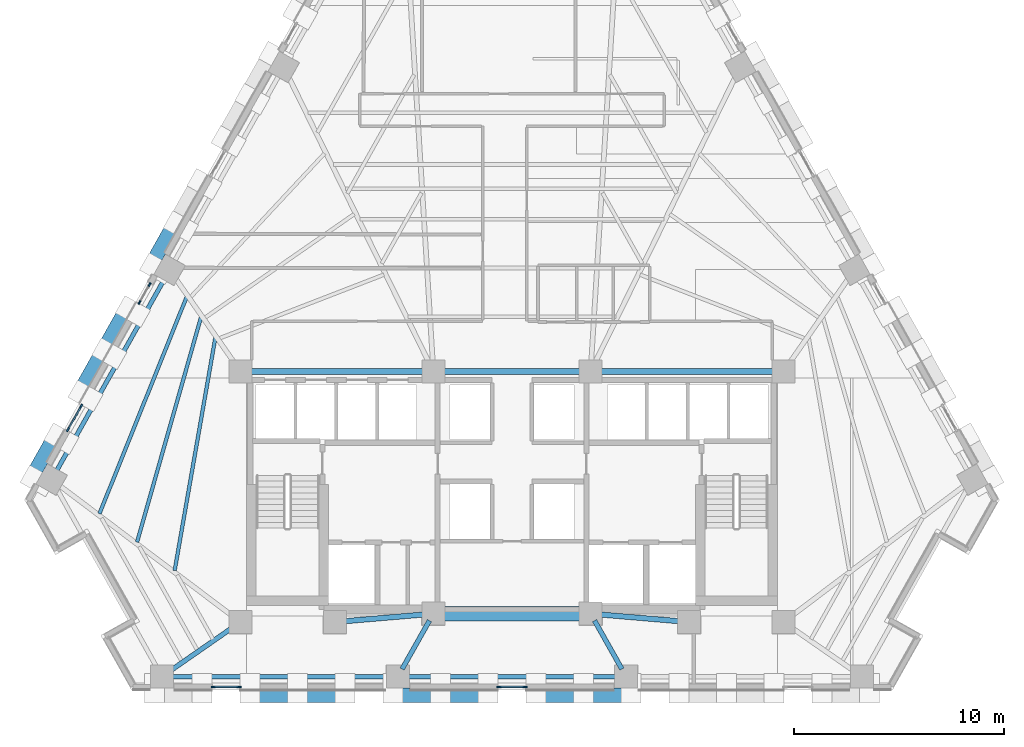
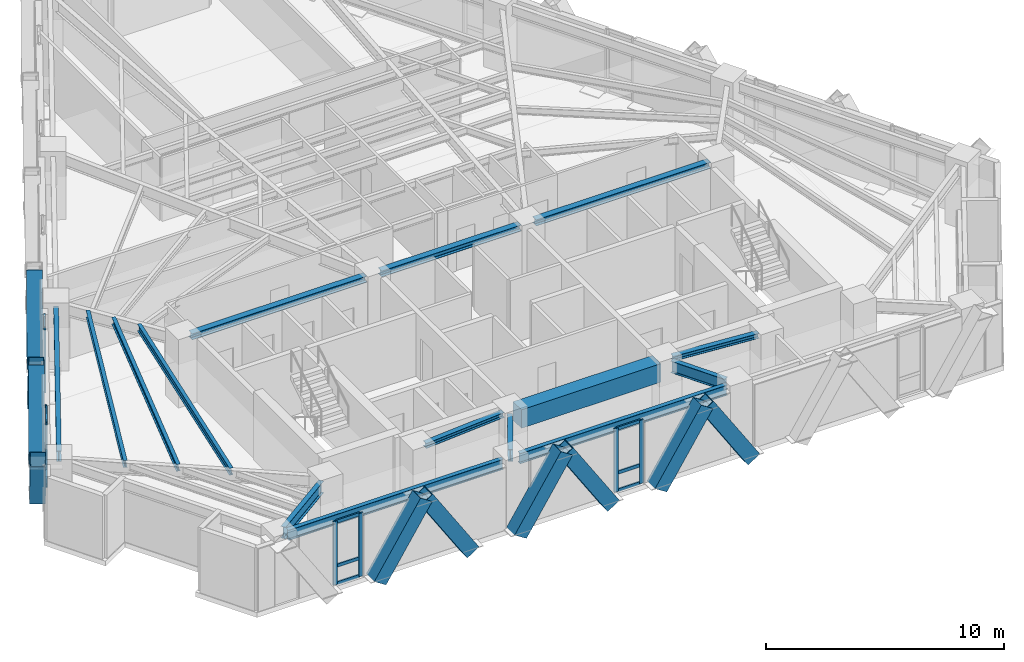
# One storey, part 2 of 13: 27 members, 15 beams, 4 elements without a shape of their own.
"""IFC4 building model written with IfcOpenShell, lengths in metres."""

from ifc_helpers import new_model, si_unit, direction, frame, origin, origin_2d, place, context, subcontext, project, spatial, rectangle, hollow_rectangle, i_section, extrude, material, material_profile, profile_set, type_object, element, aggregate, save


model = new_model("IFC4")

# Units and contexts
model_context = context("Model", 3, precision=1e-05, world=origin(), true_north=direction((0.0, 1.0)))
body_context = subcontext(model_context, "Body", "Model", "MODEL_VIEW")
ifc_project = project(units=[si_unit("LENGTHUNIT", "METRE"), si_unit("AREAUNIT", "SQUARE_METRE"), si_unit("VOLUMEUNIT", "CUBIC_METRE"), si_unit("PLANEANGLEUNIT", "RADIAN"), si_unit("MASSUNIT", "GRAM", prefix="KILO")], contexts=[model_context])

# Site, building, storey
site_placement = place(None, origin())
site = spatial("IfcSite", under=ifc_project, at=site_placement, CompositionType="ELEMENT")
building_placement = place(site_placement, origin())
building = spatial("IfcBuilding", under=site, at=building_placement, Name="Quenlor Broadcast Tower", CompositionType="ELEMENT")
storey_placement = place(building_placement, frame((0.0, 0.0, 83.60009765625)))
storey = spatial("IfcBuildingStorey", under=building, at=storey_placement, Name="L22", CompositionType="ELEMENT", Elevation=83.60009765625)

# Curtain wall, members
ifc_material_1 = material(Name="Architectural Terracotta and Low-E Glazing", Category="masonry")
curtain_wall_type = type_object("IfcCurtainWallType", Name="Unitised Terracotta Curtain Wall System Z2", PredefinedType="NOTDEFINED", material=ifc_material_1)
curtain_wall_1_placement = place(storey_placement, origin())
curtain_wall_1 = element("IfcCurtainWall", 1, at=curtain_wall_1_placement, inside=storey, type_object=curtain_wall_type, Name="L22 Curtain Wall CW2 (L22-SC-G1)", PredefinedType="NOTDEFINED")
ifc_material_2 = material(Name="Aluminium 6063-T6", Category="aluminium")
ifc_material_profile_1 = material_profile(ifc_material_2, rectangle(XDim=0.074951171875, YDim=0.199951171875, at=origin_2d()))
ifc_profile_set_1 = profile_set([ifc_material_profile_1], Name="Aluminium 6063-T6 MULL75x200")
member_type_1 = type_object("IfcMemberType", Name="CW2 Aluminium Mullion MULL_CW2", PredefinedType="MULLION", material=ifc_profile_set_1)
member_1_placement = place(storey_placement, frame((-13.01611328125, -19.840087890625, 0.0), z_axis=(0.0, 0.0, 1.0), x_axis=(0.0, -1.0, 0.0)))
member_1 = element("IfcMember", 2, at=member_1_placement, type_object=member_type_1, Name="CW2 mullion 1", PredefinedType="MULLION", context=body_context, shape_type="SweptSolid", body=[
    extrude(rectangle(XDim=0.074951171875, YDim=0.199951171875, at=origin_2d()), origin(), (0.0, 0.0, 1.0), 3.25),
])
member_2_placement = place(storey_placement, frame((-14.254150390625, -19.840087890625, 0.0), z_axis=(0.0, 0.0, 1.0), x_axis=(0.0, -1.0, 0.0)))
member_2 = element("IfcMember", 3, at=member_2_placement, type_object=member_type_1, Name="CW2 mullion 2", PredefinedType="MULLION", context=body_context, shape_type="SweptSolid", body=[
    extrude(rectangle(XDim=0.074951171875, YDim=0.199951171875, at=origin_2d()), origin(), (0.0, 0.0, 1.0), 3.25),
])

curtain_wall_2_placement = place(storey_placement, origin())
curtain_wall_2 = element("IfcCurtainWall", 4, at=curtain_wall_2_placement, inside=storey, type_object=curtain_wall_type, Name="L22 Curtain Wall CW2 (L22-S-G1)", PredefinedType="NOTDEFINED")
member_3_placement = place(storey_placement, frame((0.618896484375, -19.840087890625, 0.0), z_axis=(0.0, 0.0, 1.0), x_axis=(0.0, -1.0, 0.0)))
member_3 = element("IfcMember", 5, at=member_3_placement, type_object=member_type_1, Name="CW2 mullion 1", PredefinedType="MULLION", context=body_context, shape_type="SweptSolid", body=[
    extrude(rectangle(XDim=0.074951171875, YDim=0.199951171875, at=origin_2d()), origin(), (0.0, 0.0, 1.0), 3.25),
])
member_4_placement = place(storey_placement, frame((-0.618896484375, -19.840087890625, 0.0), z_axis=(0.0, 0.0, 1.0), x_axis=(0.0, -1.0, 0.0)))
member_4 = element("IfcMember", 6, at=member_4_placement, type_object=member_type_1, Name="CW2 mullion 2", PredefinedType="MULLION", context=body_context, shape_type="SweptSolid", body=[
    extrude(rectangle(XDim=0.074951171875, YDim=0.199951171875, at=origin_2d()), origin(), (0.0, 0.0, 1.0), 3.25),
])

curtain_wall_3_placement = place(storey_placement, origin())
curtain_wall_3 = element("IfcCurtainWall", 7, at=curtain_wall_3_placement, inside=storey, type_object=curtain_wall_type, Name="L22 Curtain Wall CW2 (L22-NWA-G1)", PredefinedType="NOTDEFINED")
member_5_placement = place(storey_placement, frame((-21.177734375, -7.57568359375, 0.0), z_axis=(0.0, 0.0, 1.0), x_axis=(-0.871565749621, 0.490278639232, 0.0)))
member_5 = element("IfcMember", 8, at=member_5_placement, type_object=member_type_1, Name="CW2 mullion 1", PredefinedType="MULLION", context=body_context, shape_type="SweptSolid", body=[
    extrude(rectangle(XDim=0.074951171875, YDim=0.199951171875, at=origin_2d()), origin(), (0.0, 0.0, 1.0), 3.25),
])
member_6_placement = place(storey_placement, frame((-20.545654296875, -6.451904296875, 0.0), z_axis=(0.0, 0.0, 1.0), x_axis=(-0.871565749621, 0.490278639232, 0.0)))
member_6 = element("IfcMember", 9, at=member_6_placement, type_object=member_type_1, Name="CW2 mullion 2", PredefinedType="MULLION", context=body_context, shape_type="SweptSolid", body=[
    extrude(rectangle(XDim=0.074951171875, YDim=0.199951171875, at=origin_2d()), origin(), (0.0, 0.0, 1.0), 3.25),
])

curtain_wall_4_placement = place(storey_placement, origin())
curtain_wall_4 = element("IfcCurtainWall", 10, at=curtain_wall_4_placement, inside=storey, type_object=curtain_wall_type, Name="L22 Curtain Wall CW2 (L22-NWA-G2)", PredefinedType="NOTDEFINED")
member_7_placement = place(storey_placement, frame((-17.7646484375, -1.508056640625, 0.0), z_axis=(0.0, 0.0, 1.0), x_axis=(-0.871580587336, 0.490252261371, 0.0)))
member_7 = element("IfcMember", 11, at=member_7_placement, type_object=member_type_1, Name="CW2 mullion 1", PredefinedType="MULLION", context=body_context, shape_type="SweptSolid", body=[
    extrude(rectangle(XDim=0.074951171875, YDim=0.199951171875, at=origin_2d()), origin(), (0.0, 0.0, 1.0), 3.25),
])
member_8_placement = place(storey_placement, frame((-17.282958984375, -0.651611328125, 0.0), z_axis=(0.0, 0.0, 1.0), x_axis=(-0.871580587336, 0.490252261371, 0.0)))
member_8 = element("IfcMember", 12, at=member_8_placement, type_object=member_type_1, Name="CW2 mullion 2", PredefinedType="MULLION", context=body_context, shape_type="SweptSolid", body=[
    extrude(rectangle(XDim=0.074951171875, YDim=0.199951171875, at=origin_2d()), origin(), (0.0, 0.0, 1.0), 3.25),
])
aggregate(curtain_wall_4, [member_7, member_8])

# Member
ifc_material_3 = material(Name="Aluminium 6063-T6", Category="aluminium")
ifc_material_profile_2 = material_profile(ifc_material_3, rectangle(XDim=0.074951171875, YDim=0.1650390625, at=origin_2d()))
ifc_profile_set_2 = profile_set([ifc_material_profile_2], Name="Aluminium 6063-T6 TRAN75x165")
member_type_2 = type_object("IfcMemberType", Name="CW2 Aluminium Transom TRAN_CW2", PredefinedType="USERDEFINED", material=ifc_profile_set_2)
member_9_placement = place(storey_placement, frame((-13.0537109375, -19.840087890625, 0.037353515625), z_axis=(-1.0, 0.0, 0.0), x_axis=(0.0, -1.0, 0.0)))
member_9 = element("IfcMember", 13, at=member_9_placement, type_object=member_type_2, Name="CW2 transom 1.1", ObjectType="TRANSOM", PredefinedType="USERDEFINED", context=body_context, shape_type="SweptSolid", body=[
    extrude(rectangle(XDim=0.074951171875, YDim=0.1650390625, at=origin_2d()), origin(), (0.0, 0.0, 1.0), 1.1630859375),
])

member_10_placement = place(storey_placement, frame((-13.0537109375, -19.840087890625, 0.949951171875), z_axis=(-1.0, 0.0, 0.0), x_axis=(0.0, -1.0, 0.0)))
member_10 = element("IfcMember", 14, at=member_10_placement, type_object=member_type_2, Name="CW2 transom 1.2", ObjectType="TRANSOM", PredefinedType="USERDEFINED", context=body_context, shape_type="SweptSolid", body=[
    extrude(rectangle(XDim=0.074951171875, YDim=0.1650390625, at=origin_2d()), origin(), (0.0, 0.0, 1.0), 1.1630859375),
])

member_11_placement = place(storey_placement, frame((-13.0537109375, -19.840087890625, 3.21240234375), z_axis=(-1.0, 0.0, 0.0), x_axis=(0.0, -1.0, 0.0)))
member_11 = element("IfcMember", 15, at=member_11_placement, type_object=member_type_2, Name="CW2 transom 1.3", ObjectType="TRANSOM", PredefinedType="USERDEFINED", context=body_context, shape_type="SweptSolid", body=[
    extrude(rectangle(XDim=0.074951171875, YDim=0.1650390625, at=origin_2d()), origin(), (0.0, 0.0, 1.0), 1.1630859375),
])

aggregate(curtain_wall_1, [member_1, member_2, member_9, member_10, member_11])

member_12_placement = place(storey_placement, frame((0.58154296875, -19.840087890625, 0.037353515625), z_axis=(-1.0, 0.0, 0.0), x_axis=(0.0, -1.0, 0.0)))
member_12 = element("IfcMember", 16, at=member_12_placement, type_object=member_type_2, Name="CW2 transom 1.1", ObjectType="TRANSOM", PredefinedType="USERDEFINED", context=body_context, shape_type="SweptSolid", body=[
    extrude(rectangle(XDim=0.074951171875, YDim=0.1650390625, at=origin_2d()), origin(), (0.0, 0.0, 1.0), 1.1630859375),
])

member_13_placement = place(storey_placement, frame((0.58154296875, -19.840087890625, 0.949951171875), z_axis=(-1.0, 0.0, 0.0), x_axis=(0.0, -1.0, 0.0)))
member_13 = element("IfcMember", 17, at=member_13_placement, type_object=member_type_2, Name="CW2 transom 1.2", ObjectType="TRANSOM", PredefinedType="USERDEFINED", context=body_context, shape_type="SweptSolid", body=[
    extrude(rectangle(XDim=0.074951171875, YDim=0.1650390625, at=origin_2d()), origin(), (0.0, 0.0, 1.0), 1.1630859375),
])

member_14_placement = place(storey_placement, frame((0.58154296875, -19.840087890625, 3.21240234375), z_axis=(-1.0, 0.0, 0.0), x_axis=(0.0, -1.0, 0.0)))
member_14 = element("IfcMember", 18, at=member_14_placement, type_object=member_type_2, Name="CW2 transom 1.3", ObjectType="TRANSOM", PredefinedType="USERDEFINED", context=body_context, shape_type="SweptSolid", body=[
    extrude(rectangle(XDim=0.074951171875, YDim=0.1650390625, at=origin_2d()), origin(), (0.0, 0.0, 1.0), 1.1630859375),
])

aggregate(curtain_wall_2, [member_3, member_4, member_12, member_13, member_14])

member_15_placement = place(storey_placement, frame((-21.159423828125, -7.54296875, 0.037353515625), z_axis=(0.490347143438, 0.871527210661, 0.0), x_axis=(-0.871527210661, 0.490347143438, 0.0)))
member_15 = element("IfcMember", 19, at=member_15_placement, type_object=member_type_2, Name="CW2 transom 1.1", ObjectType="TRANSOM", PredefinedType="USERDEFINED", context=body_context, shape_type="SweptSolid", body=[
    extrude(rectangle(XDim=0.074951171875, YDim=0.1650390625, at=origin_2d()), origin(), (0.0, 0.0, 1.0), 1.21435546875),
])

member_16_placement = place(storey_placement, frame((-21.159423828125, -7.54296875, 0.949951171875), z_axis=(0.490347143438, 0.871527210661, 0.0), x_axis=(-0.871527210661, 0.490347143438, 0.0)))
member_16 = element("IfcMember", 20, at=member_16_placement, type_object=member_type_2, Name="CW2 transom 1.2", ObjectType="TRANSOM", PredefinedType="USERDEFINED", context=body_context, shape_type="SweptSolid", body=[
    extrude(rectangle(XDim=0.074951171875, YDim=0.1650390625, at=origin_2d()), origin(), (0.0, 0.0, 1.0), 1.21435546875),
])

member_17_placement = place(storey_placement, frame((-21.159423828125, -7.54296875, 3.21240234375), z_axis=(0.490347143438, 0.871527210661, 0.0), x_axis=(-0.871527210661, 0.490347143438, 0.0)))
member_17 = element("IfcMember", 21, at=member_17_placement, type_object=member_type_2, Name="CW2 transom 1.3", ObjectType="TRANSOM", PredefinedType="USERDEFINED", context=body_context, shape_type="SweptSolid", body=[
    extrude(rectangle(XDim=0.074951171875, YDim=0.1650390625, at=origin_2d()), origin(), (0.0, 0.0, 1.0), 1.21435546875),
])

aggregate(curtain_wall_3, [member_5, member_6, member_15, member_16, member_17])

# Beams
ifc_material_4 = material(Name="Concrete C50/60", Category="concrete")
ifc_material_profile_3 = material_profile(ifc_material_4, rectangle(XDim=0.699951171875, YDim=0.949951171875, at=origin_2d()))
ifc_profile_set_3 = profile_set([ifc_material_profile_3], Name="Concrete C50/60 RCB700x950")
beam_type_1 = type_object("IfcBeamType", Name="Core Coupling Beam Concrete C50/60 700x950", PredefinedType="BEAM", material=ifc_profile_set_3)
beam_1_placement = place(storey_placement, frame((-3.389892578125, -16.35009765625, 2.77490234375), z_axis=(1.0, 0.0, 0.0), x_axis=(0.0, 1.0, 0.0)))
element("IfcBeam", 22, at=beam_1_placement, inside=storey, type_object=beam_type_1, Name="L22 Core Coupling Beam 6", PredefinedType="BEAM", context=body_context, shape_type="SweptSolid", body=[
    extrude(rectangle(XDim=0.699951171875, YDim=0.949951171875, at=origin_2d()), origin(), (0.0, 0.0, 1.0), 6.77978515625),
])
ifc_material_5 = material(Name="Steel S355", Category="steel")
ifc_material_profile_4 = material_profile(ifc_material_5, i_section(OverallWidth=0.304931640625, OverallDepth=0.30810546875, WebThickness=0.010009765625, FlangeThickness=0.015380859375, FilletRadius=0.0166015625, at=origin_2d()))
ifc_profile_set_4 = profile_set([ifc_material_profile_4], Name="Steel S355 310UC96.8")
beam_type_2 = type_object("IfcBeamType", Name="Core Header Beam Steel S355 310UC96.8", PredefinedType="BEAM", material=ifc_profile_set_4)
beam_2_placement = place(storey_placement, frame((-3.389892578125, -4.800048828125, 3.095947265625), z_axis=(1.0, 0.0, 0.0), x_axis=(0.0, 1.0, 0.0)))
element("IfcBeam", 23, at=beam_2_placement, inside=storey, type_object=beam_type_2, Name="L22 Core Header Beam 2", PredefinedType="BEAM", context=body_context, shape_type="SweptSolid", body=[
    extrude(i_section(OverallWidth=0.304931640625, OverallDepth=0.30810546875, WebThickness=0.010009765625, FlangeThickness=0.015380859375, FilletRadius=0.0166015625, at=origin_2d()), origin(), (0.0, 0.0, 1.0), 6.77978515625),
])
ifc_material_6 = material(Name="Steel S355", Category="steel")
ifc_material_profile_5 = material_profile(ifc_material_6, i_section(OverallWidth=0.25390625, OverallDepth=0.25390625, WebThickness=0.008544921875, FlangeThickness=0.01416015625, FilletRadius=0.013916015625, at=origin_2d()))
ifc_profile_set_5 = profile_set([ifc_material_profile_5], Name="Steel S355 250UC72.9")
beam_type_3 = type_object("IfcBeamType", Name="Core Opening Lintel Beam Steel S355 250UC72.9", PredefinedType="LINTEL", material=ifc_profile_set_5)
for number, where, z_axis, x_axis, name in (
    (24, (-8.09130859375, -16.719482421875, 3.123046875), (0.996399763903, 0.084779186679, 0.0), (-0.084779186679, 0.996399763903, 0.0), "L22 Core Opening Lintel Beam 4"),
    (25, (4.108642578125, -16.380615234375, 3.123046875), (0.996399763903, -0.084779186679, 0.0), (0.084779186679, 0.996399763903, 0.0), "L22 Core Opening Lintel Beam 5"),
):
    element("IfcBeam", number, at=place(storey_placement, frame(where, z_axis=z_axis, x_axis=x_axis)), inside=storey, type_object=beam_type_3, Name=name, PredefinedType="LINTEL", context=body_context, shape_type="SweptSolid", body=[
        extrude(i_section(OverallWidth=0.25390625, OverallDepth=0.25390625, WebThickness=0.008544921875, FlangeThickness=0.01416015625, FilletRadius=0.013916015625, at=origin_2d()), origin(), (0.0, 0.0, 1.0), 3.9970703125),
    ])
ifc_material_7 = material(Name="Steel S355", Category="steel")
ifc_material_profile_6 = material_profile(ifc_material_7, i_section(OverallWidth=0.306884765625, OverallDepth=0.314697265625, WebThickness=0.011962890625, FlangeThickness=0.018798828125, FilletRadius=0.0166015625, at=origin_2d()))
ifc_profile_set_6 = profile_set([ifc_material_profile_6], Name="Steel S355 310UC118")
beam_type_4 = type_object("IfcBeamType", Name="Core Tie Beam Steel S355 310UC118", PredefinedType="BEAM", material=ifc_profile_set_6)
for number, where, z_axis, x_axis, name in (
    (26, (-12.590087890625, -4.800048828125, 3.092529296875), (1.0, 0.0, 0.0), (0.0, 1.0, 0.0), "L22 Core Tie Beam 1"),
    (27, (4.110107421875, -4.800048828125, 3.092529296875), (1.0, 0.0, 0.0), (0.0, 1.0, 0.0), "L22 Core Tie Beam 3"),
):
    element("IfcBeam", number, at=place(storey_placement, frame(where, z_axis=z_axis, x_axis=x_axis)), inside=storey, type_object=beam_type_4, Name=name, PredefinedType="BEAM", context=body_context, shape_type="SweptSolid", body=[
        extrude(i_section(OverallWidth=0.306884765625, OverallDepth=0.314697265625, WebThickness=0.011962890625, FlangeThickness=0.018798828125, FilletRadius=0.0166015625, at=origin_2d()), origin(), (0.0, 0.0, 1.0), 8.47998046875),
    ])

# Members
ifc_material_8 = material(Name="Steel S355", Category="steel")
ifc_material_profile_7 = material_profile(ifc_material_8, hollow_rectangle(XDim=0.679931640625, YDim=0.679931640625, WallThickness=0.030029296875, at=origin_2d()))
ifc_profile_set_7 = profile_set([ifc_material_profile_7], Name="Steel S355 RHS680x680x30")
member_type_3 = type_object("IfcMemberType", Name="Perimeter Diagonal Lattice Brace Z2 Steel S355 RHS680x30", PredefinedType="BRACE", material=ifc_profile_set_7)
for number, where, z_axis, x_axis, name in (
    (28, (5.667724609375, -20.235107421875, -0.1201171875), (-0.539968035679, 0.0, 0.841685523485), (0.0, -1.0, 0.0), "L22 Perimeter Diamond Lattice S-C2S"),
    (29, (-1.14990234375, -20.235107421875, -0.1201171875), (-0.539968035679, 0.0, 0.841685523485), (0.0, -1.0, 0.0), "L22 Perimeter Diamond Lattice S-C3S"),
    (30, (1.14990234375, -20.235107421875, -0.1201171875), (0.539968035679, 0.0, 0.841685523485), (0.0, 1.0, 0.0), "L22 Perimeter Diamond Lattice S-C3B"),
    (31, (-7.967529296875, -20.235107421875, -0.1201171875), (-0.539968035679, 0.0, 0.841685523485), (0.0, -1.0, 0.0), "L22 Perimeter Diamond Lattice S-C4S"),
    (32, (-5.667724609375, -20.235107421875, -0.1201171875), (0.539968035679, 0.0, 0.841685523485), (0.0, 1.0, 0.0), "L22 Perimeter Diamond Lattice S-C4B"),
    (33, (-12.4853515625, -20.235107421875, -0.1201171875), (0.539968035679, 0.0, 0.841685523485), (0.0, 1.0, 0.0), "L22 Perimeter Diamond Lattice S-C5B"),
):
    element("IfcMember", number, at=place(storey_placement, frame(where, z_axis=z_axis, x_axis=x_axis)), inside=storey, type_object=member_type_3, Name=name, PredefinedType="BRACE", context=body_context, shape_type="SweptSolid", body=[
        extrude(hollow_rectangle(XDim=0.679931640625, YDim=0.679931640625, WallThickness=0.030029296875, at=origin_2d()), origin(), (0.0, 0.0, 1.0), 4.158203125),
    ])
for number, where, z_axis, x_axis, name in (
    (34, (-20.63037109375, -5.796630859375, -0.1201171875), (0.268696511206, 0.477585438485, 0.836489290913), (-0.871532878923, 0.490337068716, 0.0), "L22 Perimeter Diamond Lattice NW-C1S"),
    (35, (-21.781494140625, -7.843505859375, -0.1201171875), (-0.268696511206, -0.477585438485, 0.836489290913), (0.871532878923, -0.490337068716, 0.0), "L22 Perimeter Diamond Lattice NW-C1B"),
    (36, (-17.21728515625, 0.27099609375, -0.1201171875), (0.268696511206, 0.477585438485, 0.836489290913), (-0.871532878923, 0.490337068716, 0.0), "L22 Perimeter Diamond Lattice NW-C2S"),
    (37, (-18.368408203125, -1.77587890625, -0.1201171875), (-0.268696511206, -0.477585438485, 0.836489290913), (0.871532878923, -0.490337068716, 0.0), "L22 Perimeter Diamond Lattice NW-C2B"),
):
    element("IfcMember", number, at=place(storey_placement, frame(where, z_axis=z_axis, x_axis=x_axis)), inside=storey, type_object=member_type_3, Name=name, PredefinedType="BRACE", context=body_context, shape_type="SweptSolid", body=[
        extrude(hollow_rectangle(XDim=0.679931640625, YDim=0.679931640625, WallThickness=0.030029296875, at=origin_2d()), origin(), (0.0, 0.0, 1.0), 4.18408203125),
    ])

# Beams
ifc_material_9 = material(Name="Steel S355", Category="steel")
ifc_material_profile_8 = material_profile(ifc_material_9, i_section(OverallWidth=0.208984375, OverallDepth=0.5283203125, WebThickness=0.009521484375, FlangeThickness=0.01318359375, FilletRadius=0.013916015625, at=origin_2d()))
ifc_profile_set_8 = profile_set([ifc_material_profile_8], Name="Steel S355 530UB82.0")
beam_type_5 = type_object("IfcBeamType", Name="Perimeter Spandrel Beam Z2 Steel S355 530UB82.0", PredefinedType="SPANDREL", material=ifc_profile_set_8)
beam_3_placement = place(storey_placement, frame((-16.282470703125, -19.35009765625, 2.98583984375), z_axis=(1.0, 0.0, 0.0), x_axis=(0.0, 1.0, 0.0)))
element("IfcBeam", 38, at=beam_3_placement, inside=storey, type_object=beam_type_5, Name="L22 Spandrel Beam S1-S2", PredefinedType="SPANDREL", context=body_context, shape_type="SweptSolid", body=[
    extrude(i_section(OverallWidth=0.208984375, OverallDepth=0.5283203125, WebThickness=0.009521484375, FlangeThickness=0.01318359375, FilletRadius=0.013916015625, at=origin_2d()), origin(), (0.0, 0.0, 1.0), 10.42919921875),
])
beam_4_placement = place(storey_placement, frame((-5.033203125, -19.35009765625, 2.98583984375), z_axis=(1.0, 0.0, 0.0), x_axis=(0.0, 1.0, 0.0)))
element("IfcBeam", 39, at=beam_4_placement, inside=storey, type_object=beam_type_5, Name="L22 Spandrel Beam S2-S3", PredefinedType="SPANDREL", context=body_context, shape_type="SweptSolid", body=[
    extrude(i_section(OverallWidth=0.208984375, OverallDepth=0.5283203125, WebThickness=0.009521484375, FlangeThickness=0.01318359375, FilletRadius=0.013916015625, at=origin_2d()), origin(), (0.0, 0.0, 1.0), 10.06640625),
])
beam_5_placement = place(storey_placement, frame((-16.531005859375, -0.314453125, 2.98583984375), z_axis=(-0.490263415828, -0.871574313011, 0.0), x_axis=(0.871574313011, -0.490263415828, 0.0)))
element("IfcBeam", 40, at=beam_5_placement, inside=storey, type_object=beam_type_5, Name="L22 Spandrel Beam NW3-NW4", PredefinedType="SPANDREL", context=body_context, shape_type="SweptSolid", body=[
    extrude(i_section(OverallWidth=0.208984375, OverallDepth=0.5283203125, WebThickness=0.009521484375, FlangeThickness=0.01318359375, FilletRadius=0.013916015625, at=origin_2d()), origin(), (0.0, 0.0, 1.0), 10.65283203125),
])
ifc_material_10 = material(Name="Steel S355", Category="steel")
ifc_material_profile_9 = material_profile(ifc_material_10, i_section(OverallWidth=0.172119140625, OverallDepth=0.358642578125, WebThickness=0.008056640625, FlangeThickness=0.012939453125, FilletRadius=0.011474609375, at=origin_2d()))
ifc_profile_set_9 = profile_set([ifc_material_profile_9], Name="Steel S355 360UB56.7")
beam_type_6 = type_object("IfcBeamType", Name="Tower Composite Joist Z2-Z3 Steel S355 360UB56.7", PredefinedType="JOIST", material=ifc_profile_set_9)
beam_6_placement = place(storey_placement, frame((-16.087890625, -14.29345703125, 3.070556640625), z_axis=(0.172120396521, 0.985075920476, 0.0), x_axis=(-0.985075920476, 0.172120396521, 0.0)))
element("IfcBeam", 41, at=beam_6_placement, inside=storey, type_object=beam_type_6, Name="L22 Secondary Composite Joist 13", PredefinedType="JOIST", context=body_context, shape_type="SweptSolid", body=[
    extrude(i_section(OverallWidth=0.172119140625, OverallDepth=0.358642578125, WebThickness=0.008056640625, FlangeThickness=0.012939453125, FilletRadius=0.011474609375, at=origin_2d()), origin(), (0.0, 0.0, 1.0), 11.27783203125),
])
beam_7_placement = place(storey_placement, frame((-17.880615234375, -12.9365234375, 3.070556640625), z_axis=(0.273563993601, 0.96185380459, 0.0), x_axis=(-0.96185380459, 0.273563993601, 0.0)))
element("IfcBeam", 42, at=beam_7_placement, inside=storey, type_object=beam_type_6, Name="L22 Secondary Composite Joist 14", PredefinedType="JOIST", context=body_context, shape_type="SweptSolid", body=[
    extrude(i_section(OverallWidth=0.172119140625, OverallDepth=0.358642578125, WebThickness=0.008056640625, FlangeThickness=0.012939453125, FilletRadius=0.011474609375, at=origin_2d()), origin(), (0.0, 0.0, 1.0), 11.1484375),
])
beam_8_placement = place(storey_placement, frame((-19.673583984375, -11.580810546875, 3.070556640625), z_axis=(0.373180395983, 0.92775880058, 0.0), x_axis=(-0.92775880058, 0.373180395983, 0.0)))
element("IfcBeam", 43, at=beam_8_placement, inside=storey, type_object=beam_type_6, Name="L22 Secondary Composite Joist 15", PredefinedType="JOIST", context=body_context, shape_type="SweptSolid", body=[
    extrude(i_section(OverallWidth=0.172119140625, OverallDepth=0.358642578125, WebThickness=0.008056640625, FlangeThickness=0.012939453125, FilletRadius=0.011474609375, at=origin_2d()), origin(), (0.0, 0.0, 1.0), 11.143798828125),
])
ifc_material_11 = material(Name="Steel S355", Category="steel")
ifc_material_profile_10 = material_profile(ifc_material_11, i_section(OverallWidth=0.22802734375, OverallDepth=0.60205078125, WebThickness=0.010498046875, FlangeThickness=0.014892578125, FilletRadius=0.013916015625, at=origin_2d()))
ifc_profile_set_10 = profile_set([ifc_material_profile_10], Name="Steel S355 610UB101")
beam_type_7 = type_object("IfcBeamType", Name="Tower Primary Floor Beam Z2 Steel S355 610UB101", PredefinedType="BEAM", material=ifc_profile_set_10)
beam_9_placement = place(storey_placement, frame((-16.355712890625, -19.1162109375, 2.948974609375), z_axis=(0.821227395059, 0.570601056436, 0.0), x_axis=(-0.570601056436, 0.821227395059, 0.0)))
element("IfcBeam", 44, at=beam_9_placement, inside=storey, type_object=beam_type_7, Name="L22 Primary Radial Beam S1", PredefinedType="BEAM", context=body_context, shape_type="SweptSolid", body=[
    extrude(i_section(OverallWidth=0.22802734375, OverallDepth=0.60205078125, WebThickness=0.010498046875, FlangeThickness=0.014892578125, FilletRadius=0.013916015625, at=origin_2d()), origin(), (0.0, 0.0, 1.0), 3.766845703125),
])
for number, where, z_axis, x_axis, name in (
    (45, (-5.24169921875, -18.992919921875, 2.948974609375), (0.491526879548, 0.870862403989, 0.0), (-0.870862403989, 0.491526879548, 0.0), "L22 Primary Radial Beam S2"),
    (46, (5.24169921875, -18.992919921875, 2.948974609375), (-0.491526879548, 0.870862403989, 0.0), (-0.870862403989, -0.491526879548, 0.0), "L22 Primary Radial Beam S3"),
):
    element("IfcBeam", number, at=place(storey_placement, frame(where, z_axis=z_axis, x_axis=x_axis)), inside=storey, type_object=beam_type_7, Name=name, PredefinedType="BEAM", context=body_context, shape_type="SweptSolid", body=[
        extrude(i_section(OverallWidth=0.22802734375, OverallDepth=0.60205078125, WebThickness=0.010498046875, FlangeThickness=0.014892578125, FilletRadius=0.013916015625, at=origin_2d()), origin(), (0.0, 0.0, 1.0), 2.65478515625),
    ])

save(model, "model.ifc")
